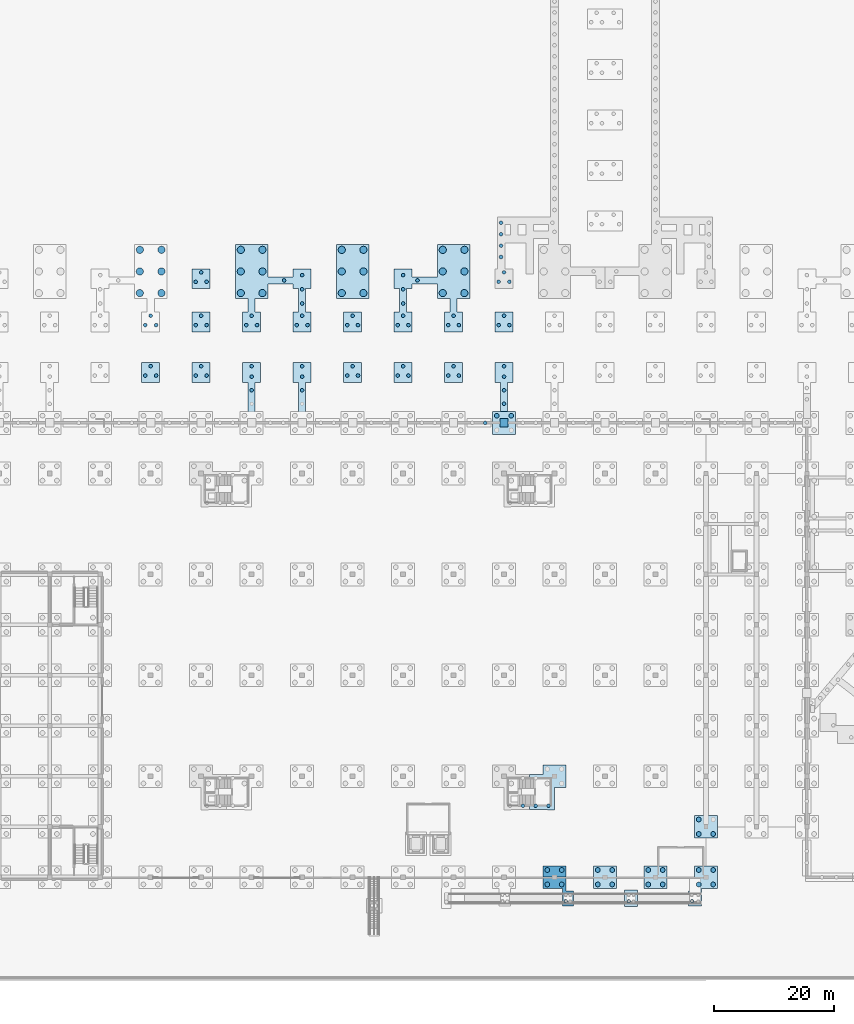
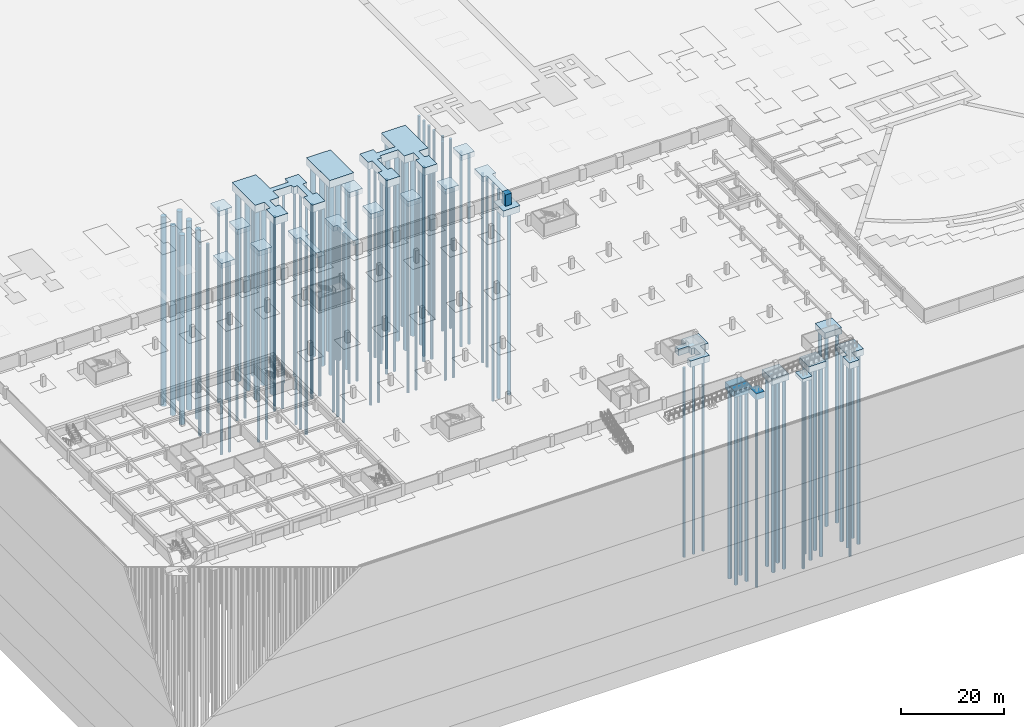
# One storey, part 6 of 67: 119 piles, 25 footings.
"""IFC4 building model written with IfcOpenShell, lengths in metres."""

from ifc_helpers import new_model, si_unit, direction, frame, origin, origin_2d, place, context, subcontext, project, spatial, polyline, circle, outline, extrude, material, material_profile, profile_set, type_object, element, save


model = new_model("IFC4")

# Units and contexts
model_context = context("Model", 3, precision=1e-05, world=origin(), true_north=direction((0.0, 1.0)))
body_context = subcontext(model_context, "Body", "Model", "MODEL_VIEW")
ifc_project = project(units=[si_unit("LENGTHUNIT", "METRE"), si_unit("AREAUNIT", "SQUARE_METRE"), si_unit("VOLUMEUNIT", "CUBIC_METRE"), si_unit("PLANEANGLEUNIT", "RADIAN"), si_unit("MASSUNIT", "GRAM", prefix="KILO")], contexts=[model_context])

# Site, building, storey
site_placement = place(None, origin())
site = spatial("IfcSite", under=ifc_project, at=site_placement, CompositionType="ELEMENT")
building_placement = place(site_placement, origin())
building = spatial("IfcBuilding", under=site, at=building_placement, Name="Rain Tree Exposition and Congress Centre", CompositionType="ELEMENT")
storey_placement = place(building_placement, frame((0.0, 0.0, -3.0)))
storey = spatial("IfcBuildingStorey", under=building, at=storey_placement, Name="B1", CompositionType="ELEMENT", Elevation=-3.0)

# Piles
ifc_material_1 = material(Name="Concrete C35/45", Category="concrete")
ifc_material_profile_1 = material_profile(ifc_material_1, circle(Radius=0.60009765625, at=origin_2d()), Name="D1200")
ifc_profile_set_1 = profile_set([ifc_material_profile_1], Name="Concrete C35/45")
pile_type_1 = type_object("IfcPileType", Name="Bored pile D1200", PredefinedType="BORED", material=ifc_profile_set_1)
for number, where, z_axis, x_axis, name in (
    (1, (57.0, 97.199951171875, 0.92578125), (0.0, 0.0, -1.0), (1.0, 0.0, 0.0), "Bored pile 1689"),
    (2, (60.60009765625, 97.199951171875, 0.92578125), (0.0, 0.0, -1.0), (1.0, 0.0, 0.0), "Bored pile 1690"),
    (3, (57.0, 100.800048828125, 0.92578125), (0.0, 0.0, -1.0), (1.0, 0.0, 0.0), "Bored pile 1691"),
    (4, (60.60009765625, 100.800048828125, 0.92578125), (0.0, 0.0, -1.0), (1.0, 0.0, 0.0), "Bored pile 1692"),
    (5, (57.0, 104.39990234375, 0.92578125), (0.0, 0.0, -1.0), (1.0, 0.0, 0.0), "Bored pile 1693"),
    (6, (60.60009765625, 104.39990234375, 0.92578125), (0.0, 0.0, -1.0), (1.0, 0.0, 0.0), "Bored pile 1694"),
    (7, (73.800048828125, 97.199951171875, 0.92578125), (0.0, 0.0, -1.0), (1.0, 0.0, 0.0), "Bored pile 1705"),
    (8, (77.39990234375, 97.199951171875, 0.92578125), (0.0, 0.0, -1.0), (1.0, 0.0, 0.0), "Bored pile 1706"),
    (9, (73.800048828125, 100.800048828125, 0.92578125), (0.0, 0.0, -1.0), (1.0, 0.0, 0.0), "Bored pile 1707"),
    (10, (77.39990234375, 100.800048828125, 0.92578125), (0.0, 0.0, -1.0), (1.0, 0.0, 0.0), "Bored pile 1708"),
    (11, (73.800048828125, 104.39990234375, 0.92578125), (0.0, 0.0, -1.0), (1.0, 0.0, 0.0), "Bored pile 1709"),
    (12, (77.39990234375, 104.39990234375, 0.92578125), (0.0, 0.0, -1.0), (1.0, 0.0, 0.0), "Bored pile 1710"),
    (13, (90.60009765625, 97.199951171875, 0.92578125), (0.0, 0.0, -1.0), (1.0, 0.0, 0.0), "Bored pile 1721"),
    (14, (94.199951171875, 97.199951171875, 0.92578125), (0.0, 0.0, -1.0), (1.0, 0.0, 0.0), "Bored pile 1722"),
    (15, (90.60009765625, 100.800048828125, 0.92578125), (0.0, 0.0, -1.0), (1.0, 0.0, 0.0), "Bored pile 1723"),
    (16, (94.199951171875, 100.800048828125, 0.92578125), (0.0, 0.0, -1.0), (1.0, 0.0, 0.0), "Bored pile 1724"),
    (17, (90.60009765625, 104.39990234375, 0.92578125), (0.0, 0.0, -1.0), (1.0, 0.0, 0.0), "Bored pile 1725"),
    (18, (94.199951171875, 104.39990234375, 0.92578125), (0.0, 0.0, -1.0), (1.0, 0.0, 0.0), "Bored pile 1726"),
    (19, (107.39990234375, 97.199951171875, 0.92578125), (0.0, 0.0, -1.0), (1.0, 0.0, 0.0), "Bored pile 1733"),
    (20, (111.0, 97.199951171875, 0.92578125), (0.0, 0.0, -1.0), (1.0, 0.0, 0.0), "Bored pile 1734"),
    (21, (107.39990234375, 100.800048828125, 0.92578125), (0.0, 0.0, -1.0), (1.0, 0.0, 0.0), "Bored pile 1735"),
    (22, (111.0, 100.800048828125, 0.92578125), (0.0, 0.0, -1.0), (1.0, 0.0, 0.0), "Bored pile 1736"),
    (23, (107.39990234375, 104.39990234375, 0.92578125), (0.0, 0.0, -1.0), (1.0, 0.0, 0.0), "Bored pile 1737"),
    (24, (111.0, 104.39990234375, 0.92578125), (0.0, 0.0, -1.0), (1.0, 0.0, 0.0), "Bored pile 1738"),
):
    element("IfcPile", number, at=place(storey_placement, frame(where, z_axis=z_axis, x_axis=x_axis)), inside=storey, type_object=pile_type_1, Name=name, PredefinedType="BORED", context=body_context, shape_type="SweptSolid", body=[
        extrude(circle(Radius=0.60009765625, at=origin_2d()), origin(), (0.0, 0.0, 1.0), 45.074951171875),
    ])
ifc_material_2 = material(Name="Concrete C35/45", Category="concrete")
ifc_material_profile_2 = material_profile(ifc_material_2, circle(Radius=0.300048828125, at=origin_2d()), Name="D600")
ifc_profile_set_2 = profile_set([ifc_material_profile_2], Name="Concrete C35/45")
pile_type_2 = type_object("IfcPileType", Name="Bored pile D600", PredefinedType="BORED", material=ifc_profile_set_2)
for number, where, z_axis, x_axis, name in (
    (25, (127.85009765625, -4.0, -1.425048828125), (0.0, 0.0, -1.0), (1.0, 0.0, 0.0), "Bored pile 0724"),
    (26, (120.7333984375, 11.89990234375, -1.425048828125), (0.0, 0.0, -1.0), (1.0, 0.0, 0.0), "Bored pile 0730"),
    (27, (122.86669921875, 11.89990234375, -1.425048828125), (0.0, 0.0, -1.0), (1.0, 0.0, 0.0), "Bored pile 0732"),
    (28, (125.0, 11.89990234375, -1.425048828125), (0.0, 0.0, -1.0), (1.0, 0.0, 0.0), "Bored pile 0736"),
    (29, (138.35009765625, -4.0, -0.72509765625), (0.0, 0.0, -1.0), (1.0, 0.0, 0.0), "Bored pile 0895"),
    (30, (148.85009765625, -4.0, -1.425048828125), (0.0, 0.0, -1.0), (1.0, 0.0, 0.0), "Bored pile 0900"),
    (31, (57.89990234375, 91.88037109375, 0.92578125), (0.0, 0.0, -1.0), (1.0, 0.0, 0.0), "Bored pile 1698"),
    (32, (59.699951171875, 91.88037109375, 0.92578125), (0.0, 0.0, -1.0), (1.0, 0.0, 0.0), "Bored pile 1699"),
    (33, (58.800048828125, 93.439208984375, 0.92578125), (0.0, 0.0, -1.0), (1.0, 0.0, 0.0), "Bored pile 1700"),
    (34, (74.699951171875, 91.88037109375, 0.92578125), (0.0, 0.0, -1.0), (1.0, 0.0, 0.0), "Bored pile 1711"),
    (35, (76.5, 91.88037109375, 0.92578125), (0.0, 0.0, -1.0), (1.0, 0.0, 0.0), "Bored pile 1712"),
    (36, (75.60009765625, 93.439208984375, 0.92578125), (0.0, 0.0, -1.0), (1.0, 0.0, 0.0), "Bored pile 1713"),
    (37, (83.10009765625, 91.88037109375, 0.92578125), (0.0, 0.0, -1.0), (1.0, 0.0, 0.0), "Bored pile 1714"),
    (38, (84.89990234375, 91.88037109375, 0.92578125), (0.0, 0.0, -1.0), (1.0, 0.0, 0.0), "Bored pile 1715"),
    (39, (84.0, 93.439208984375, 0.92578125), (0.0, 0.0, -1.0), (1.0, 0.0, 0.0), "Bored pile 1716"),
    (40, (84.0, 100.199951171875, 0.92578125), (0.0, 0.0, -1.0), (1.0, 0.0, 0.0), "Bored pile 1717"),
    (41, (84.0, 97.833251953125, 0.92578125), (0.0, 0.0, -1.0), (1.0, 0.0, 0.0), "Bored pile 1718"),
    (42, (84.0, 95.466796875, 0.92578125), (0.0, 0.0, -1.0), (1.0, 0.0, 0.0), "Bored pile 1719"),
    (43, (81.0, 99.300048828125, 0.92578125), (0.0, 0.0, -1.0), (1.0, 0.0, 0.0), "Bored pile 1720"),
    (44, (99.89990234375, 91.88037109375, 0.92578125), (0.0, 0.0, -1.0), (1.0, 0.0, 0.0), "Bored pile 1739"),
    (45, (101.699951171875, 91.88037109375, 0.92578125), (0.0, 0.0, -1.0), (1.0, 0.0, 0.0), "Bored pile 1740"),
    (46, (100.800048828125, 93.439208984375, 0.92578125), (0.0, 0.0, -1.0), (1.0, 0.0, 0.0), "Bored pile 1741"),
    (47, (108.300048828125, 91.88037109375, 0.92578125), (0.0, 0.0, -1.0), (1.0, 0.0, 0.0), "Bored pile 1742"),
    (48, (110.10009765625, 91.88037109375, 0.92578125), (0.0, 0.0, -1.0), (1.0, 0.0, 0.0), "Bored pile 1743"),
    (49, (109.199951171875, 93.439208984375, 0.92578125), (0.0, 0.0, -1.0), (1.0, 0.0, 0.0), "Bored pile 1744"),
    (50, (100.800048828125, 100.199951171875, 0.92578125), (0.0, 0.0, -1.0), (1.0, 0.0, 0.0), "Bored pile 1745"),
    (51, (100.800048828125, 97.833251953125, 0.92578125), (0.0, 0.0, -1.0), (1.0, 0.0, 0.0), "Bored pile 1746"),
    (52, (100.800048828125, 95.466796875, 0.92578125), (0.0, 0.0, -1.0), (1.0, 0.0, 0.0), "Bored pile 1747"),
    (53, (103.199951171875, 99.300048828125, 0.92578125), (0.0, 0.0, -1.0), (1.0, 0.0, 0.0), "Bored pile 1748"),
    (54, (116.699951171875, 99.080322265625, 0.92578125), (0.0, 0.0, -1.0), (1.0, 0.0, 0.0), "Bored pile 1751"),
    (55, (118.5, 99.080322265625, 0.92578125), (0.0, 0.0, -1.0), (1.0, 0.0, 0.0), "Bored pile 1752"),
    (56, (117.60009765625, 100.639404296875, 0.92578125), (0.0, 0.0, -1.0), (1.0, 0.0, 0.0), "Bored pile 1754"),
    (57, (117.10009765625, 103.199951171875, 0.92578125), (0.0, 0.0, -1.0), (1.0, 0.0, 0.0), "Bored pile 1758"),
    (58, (117.10009765625, 105.10009765625, 0.92578125), (0.0, 0.0, -1.0), (1.0, 0.0, 0.0), "Bored pile 1761"),
    (59, (117.10009765625, 107.0, 0.92578125), (0.0, 0.0, -1.0), (1.0, 0.0, 0.0), "Bored pile 1762"),
    (60, (117.10009765625, 108.89990234375, 0.92578125), (0.0, 0.0, -1.0), (1.0, 0.0, 0.0), "Bored pile 1764"),
    (61, (84.0, 81.033203125, 1.574951171875), (0.0, 0.0, -1.0), (1.0, 0.0, 0.0), "Bored pile 2160"),
    (62, (84.0, 83.300048828125, 1.574951171875), (0.0, 0.0, -1.0), (1.0, 0.0, 0.0), "Bored pile 2161"),
    (63, (84.0, 85.039306640625, 1.574951171875), (0.0, 0.0, -1.0), (1.0, 0.0, 0.0), "Bored pile 2162"),
    (64, (75.60009765625, 81.033203125, 1.574951171875), (0.0, 0.0, -1.0), (1.0, 0.0, 0.0), "Bored pile 2164"),
    (65, (75.60009765625, 83.300048828125, 1.574951171875), (0.0, 0.0, -1.0), (1.0, 0.0, 0.0), "Bored pile 2165"),
    (66, (75.60009765625, 85.039306640625, 1.574951171875), (0.0, 0.0, -1.0), (1.0, 0.0, 0.0), "Bored pile 2166"),
    (67, (99.89990234375, 83.480224609375, 1.574951171875), (0.0, 0.0, -1.0), (1.0, 0.0, 0.0), "Bored pile 2178"),
    (68, (101.699951171875, 83.480224609375, 1.574951171875), (0.0, 0.0, -1.0), (1.0, 0.0, 0.0), "Bored pile 2179"),
    (69, (100.800048828125, 85.039306640625, 1.574951171875), (0.0, 0.0, -1.0), (1.0, 0.0, 0.0), "Bored pile 2180"),
    (70, (91.5, 83.480224609375, 1.574951171875), (0.0, 0.0, -1.0), (1.0, 0.0, 0.0), "Bored pile 2181"),
    (71, (93.300048828125, 83.480224609375, 1.574951171875), (0.0, 0.0, -1.0), (1.0, 0.0, 0.0), "Bored pile 2182"),
    (72, (92.39990234375, 85.039306640625, 1.574951171875), (0.0, 0.0, -1.0), (1.0, 0.0, 0.0), "Bored pile 2183"),
    (73, (66.300048828125, 83.480224609375, 1.574951171875), (0.0, 0.0, -1.0), (1.0, 0.0, 0.0), "Bored pile 2184"),
    (74, (68.10009765625, 83.480224609375, 1.574951171875), (0.0, 0.0, -1.0), (1.0, 0.0, 0.0), "Bored pile 2185"),
    (75, (67.199951171875, 85.039306640625, 1.574951171875), (0.0, 0.0, -1.0), (1.0, 0.0, 0.0), "Bored pile 2186"),
    (76, (57.89990234375, 83.480224609375, 1.574951171875), (0.0, 0.0, -1.0), (1.0, 0.0, 0.0), "Bored pile 2187"),
    (77, (59.699951171875, 83.480224609375, 1.574951171875), (0.0, 0.0, -1.0), (1.0, 0.0, 0.0), "Bored pile 2188"),
    (78, (58.800048828125, 85.039306640625, 1.574951171875), (0.0, 0.0, -1.0), (1.0, 0.0, 0.0), "Bored pile 2189"),
    (79, (66.300048828125, 91.88037109375, 1.574951171875), (0.0, 0.0, -1.0), (1.0, 0.0, 0.0), "Bored pile 2202"),
    (80, (68.10009765625, 91.88037109375, 1.574951171875), (0.0, 0.0, -1.0), (1.0, 0.0, 0.0), "Bored pile 2203"),
    (81, (67.199951171875, 93.439208984375, 1.574951171875), (0.0, 0.0, -1.0), (1.0, 0.0, 0.0), "Bored pile 2204"),
    (82, (91.5, 91.88037109375, 1.574951171875), (0.0, 0.0, -1.0), (1.0, 0.0, 0.0), "Bored pile 2211"),
    (83, (93.300048828125, 91.88037109375, 1.574951171875), (0.0, 0.0, -1.0), (1.0, 0.0, 0.0), "Bored pile 2212"),
    (84, (92.39990234375, 93.439208984375, 1.574951171875), (0.0, 0.0, -1.0), (1.0, 0.0, 0.0), "Bored pile 2213"),
    (85, (66.300048828125, 99.080322265625, 1.574951171875), (0.0, 0.0, -1.0), (1.0, 0.0, 0.0), "Bored pile 2214"),
    (86, (68.10009765625, 99.080322265625, 1.574951171875), (0.0, 0.0, -1.0), (1.0, 0.0, 0.0), "Bored pile 2215"),
    (87, (67.199951171875, 100.639404296875, 1.574951171875), (0.0, 0.0, -1.0), (1.0, 0.0, 0.0), "Bored pile 2216"),
    (88, (117.60009765625, 78.7666015625, 1.574951171875), (0.0, 0.0, -1.0), (1.0, 0.0, 0.0), "Bored pile 2245"),
    (89, (117.60009765625, 81.033203125, 1.574951171875), (0.0, 0.0, -1.0), (1.0, 0.0, 0.0), "Bored pile 2246"),
    (90, (117.60009765625, 83.300048828125, 1.574951171875), (0.0, 0.0, -1.0), (1.0, 0.0, 0.0), "Bored pile 2247"),
    (91, (117.60009765625, 85.039306640625, 1.574951171875), (0.0, 0.0, -1.0), (1.0, 0.0, 0.0), "Bored pile 2248"),
    (92, (108.300048828125, 83.480224609375, 1.574951171875), (0.0, 0.0, -1.0), (1.0, 0.0, 0.0), "Bored pile 2259"),
    (93, (110.10009765625, 83.480224609375, 1.574951171875), (0.0, 0.0, -1.0), (1.0, 0.0, 0.0), "Bored pile 2260"),
    (94, (109.199951171875, 85.039306640625, 1.574951171875), (0.0, 0.0, -1.0), (1.0, 0.0, 0.0), "Bored pile 2261"),
    (95, (116.699951171875, 91.88037109375, 1.574951171875), (0.0, 0.0, -1.0), (1.0, 0.0, 0.0), "Bored pile 2283"),
    (96, (118.5, 91.88037109375, 1.574951171875), (0.0, 0.0, -1.0), (1.0, 0.0, 0.0), "Bored pile 2284"),
    (97, (117.60009765625, 93.439208984375, 1.574951171875), (0.0, 0.0, -1.0), (1.0, 0.0, 0.0), "Bored pile 2285"),
    (98, (114.466796875, 75.60009765625, -0.72509765625), (0.0, 0.0, -1.0), (1.0, 0.0, 0.0), "Bored pile 2459"),
):
    element("IfcPile", number, at=place(storey_placement, frame(where, z_axis=z_axis, x_axis=x_axis)), inside=storey, type_object=pile_type_2, Name=name, PredefinedType="BORED", context=body_context, shape_type="SweptSolid", body=[
        extrude(circle(Radius=0.300048828125, at=origin_2d()), origin(), (0.0, 0.0, 1.0), 45.074951171875),
    ])
ifc_material_3 = material(Name="Concrete C35/45", Category="concrete")
ifc_material_profile_3 = material_profile(ifc_material_3, circle(Radius=0.39990234375, at=origin_2d()), Name="D800")
ifc_profile_set_3 = profile_set([ifc_material_profile_3], Name="Concrete C35/45")
pile_type_3 = type_object("IfcPileType", Name="Bored pile D800", PredefinedType="BORED", material=ifc_profile_set_3)
for number, where, z_axis, x_axis, name in (
    (99, (124.800048828125, 1.199951171875, -1.425048828125), (0.0, 0.0, -1.0), (1.0, 0.0, 0.0), "Bored pile 0720"),
    (100, (127.199951171875, 1.199951171875, -1.425048828125), (0.0, 0.0, -1.0), (1.0, 0.0, 0.0), "Bored pile 0721"),
    (101, (124.800048828125, -1.199951171875, -1.425048828125), (0.0, 0.0, -1.0), (1.0, 0.0, 0.0), "Bored pile 0722"),
    (102, (127.199951171875, -1.199951171875, -1.425048828125), (0.0, 0.0, -1.0), (1.0, 0.0, 0.0), "Bored pile 0723"),
    (103, (116.39990234375, 76.800048828125, -1.425048828125), (0.0, 0.0, -1.0), (1.0, 0.0, 0.0), "Bored pile 0795"),
    (104, (118.800048828125, 76.800048828125, -1.425048828125), (0.0, 0.0, -1.0), (1.0, 0.0, 0.0), "Bored pile 0796"),
    (105, (150.0, -1.199951171875, -1.425048828125), (0.0, 0.0, -1.0), (1.0, 0.0, 0.0), "Bored pile 0896"),
    (106, (152.39990234375, -1.199951171875, -1.425048828125), (0.0, 0.0, -1.0), (1.0, 0.0, 0.0), "Bored pile 0897"),
    (107, (150.0, 1.199951171875, -1.425048828125), (0.0, 0.0, -1.0), (1.0, 0.0, 0.0), "Bored pile 0898"),
    (108, (152.39990234375, 1.199951171875, -1.425048828125), (0.0, 0.0, -1.0), (1.0, 0.0, 0.0), "Bored pile 0899"),
    (109, (133.199951171875, -1.199951171875, -1.425048828125), (0.0, 0.0, -1.0), (1.0, 0.0, 0.0), "Bored pile 0901"),
    (110, (135.60009765625, -1.199951171875, -1.425048828125), (0.0, 0.0, -1.0), (1.0, 0.0, 0.0), "Bored pile 0902"),
    (111, (133.199951171875, 1.199951171875, -1.425048828125), (0.0, 0.0, -1.0), (1.0, 0.0, 0.0), "Bored pile 0903"),
    (112, (135.60009765625, 1.199951171875, -1.425048828125), (0.0, 0.0, -1.0), (1.0, 0.0, 0.0), "Bored pile 0904"),
    (113, (141.60009765625, -1.199951171875, -1.425048828125), (0.0, 0.0, -1.0), (1.0, 0.0, 0.0), "Bored pile 0905"),
    (114, (144.0, -1.199951171875, -1.425048828125), (0.0, 0.0, -1.0), (1.0, 0.0, 0.0), "Bored pile 0906"),
    (115, (141.60009765625, 1.199951171875, -1.425048828125), (0.0, 0.0, -1.0), (1.0, 0.0, 0.0), "Bored pile 0907"),
    (116, (144.0, 1.199951171875, -1.425048828125), (0.0, 0.0, -1.0), (1.0, 0.0, 0.0), "Bored pile 0908"),
    (117, (150.0, 7.199951171875, -1.425048828125), (0.0, 0.0, -1.0), (1.0, 0.0, 0.0), "Bored pile 0909"),
    (118, (152.39990234375, 7.199951171875, -1.425048828125), (0.0, 0.0, -1.0), (1.0, 0.0, 0.0), "Bored pile 0910"),
    (119, (150.0, 9.60009765625, -1.425048828125), (0.0, 0.0, -1.0), (1.0, 0.0, 0.0), "Bored pile 0911"),
):
    element("IfcPile", number, at=place(storey_placement, frame(where, z_axis=z_axis, x_axis=x_axis)), inside=storey, type_object=pile_type_3, Name=name, PredefinedType="BORED", context=body_context, shape_type="SweptSolid", body=[
        extrude(circle(Radius=0.39990234375, at=origin_2d()), origin(), (0.0, 0.0, 1.0), 45.074951171875),
    ])

# Footings
ifc_material_4 = material(Name="Concrete C35/45", Category="concrete")
footing_type_1 = type_object("IfcFootingType", Name="Pier cap 2700 thick", PredefinedType="PILE_CAP", material=ifc_material_4)
footing_1_placement = place(storey_placement, origin())
element("IfcFooting", 120, at=footing_1_placement, inside=storey, type_object=footing_type_1, Name="Pier cap 044", PredefinedType="PILE_CAP", context=body_context, shape_type="SweptSolid", body=[
    extrude(outline(polyline([(116.89990234375, 74.89990234375), (118.300048828125, 74.89990234375), (118.300048828125, 76.300048828125), (116.89990234375, 76.300048828125), (116.89990234375, 74.89990234375)])), origin(), (0.0, 0.0, 1.0), 2.699951171875),
])
ifc_material_5 = material(Name="Concrete C35/45", Category="concrete")
footing_type_2 = type_object("IfcFootingType", Name="Pile cap 1200 thick", PredefinedType="PILE_CAP", material=ifc_material_5)
footing_2_placement = place(storey_placement, frame((0.0, 0.0, 1.5)))
element("IfcFooting", 121, at=footing_2_placement, inside=storey, type_object=footing_type_2, Name="Pile cap 316", PredefinedType="PILE_CAP", context=body_context, shape_type="SweptSolid", body=[
    extrude(outline(polyline([(102.300048828125, 82.360595703125), (102.300048828125, 85.639404296875), (99.300048828125, 85.639404296875), (99.300048828125, 82.360595703125), (102.300048828125, 82.360595703125)])), origin(), (0.0, 0.0, 1.0), 1.199951171875),
])
footing_3_placement = place(storey_placement, frame((0.0, 0.0, 1.5)))
element("IfcFooting", 122, at=footing_3_placement, inside=storey, type_object=footing_type_2, Name="Pile cap 317", PredefinedType="PILE_CAP", context=body_context, shape_type="SweptSolid", body=[
    extrude(outline(polyline([(93.89990234375, 82.360595703125), (93.89990234375, 85.639404296875), (90.89990234375, 85.639404296875), (90.89990234375, 82.360595703125), (93.89990234375, 82.360595703125)])), origin(), (0.0, 0.0, 1.0), 1.199951171875),
])
footing_4_placement = place(storey_placement, frame((0.0, 0.0, 1.5)))
element("IfcFooting", 123, at=footing_4_placement, inside=storey, type_object=footing_type_2, Name="Pile cap 318", PredefinedType="PILE_CAP", context=body_context, shape_type="SweptSolid", body=[
    extrude(outline(polyline([(68.699951171875, 82.360595703125), (68.699951171875, 85.639404296875), (65.699951171875, 85.639404296875), (65.699951171875, 82.360595703125), (68.699951171875, 82.360595703125)])), origin(), (0.0, 0.0, 1.0), 1.199951171875),
])
footing_5_placement = place(storey_placement, frame((0.0, 0.0, 1.5)))
element("IfcFooting", 124, at=footing_5_placement, inside=storey, type_object=footing_type_2, Name="Pile cap 319", PredefinedType="PILE_CAP", context=body_context, shape_type="SweptSolid", body=[
    extrude(outline(polyline([(60.300048828125, 82.360595703125), (60.300048828125, 85.639404296875), (57.300048828125, 85.639404296875), (57.300048828125, 82.360595703125), (60.300048828125, 82.360595703125)])), origin(), (0.0, 0.0, 1.0), 1.199951171875),
])
footing_6_placement = place(storey_placement, frame((0.0, 0.0, 1.5)))
element("IfcFooting", 125, at=footing_6_placement, inside=storey, type_object=footing_type_2, Name="Pile cap 324", PredefinedType="PILE_CAP", context=body_context, shape_type="SweptSolid", body=[
    extrude(outline(polyline([(68.699951171875, 90.7607421875), (68.699951171875, 94.039306640625), (65.699951171875, 94.039306640625), (65.699951171875, 90.7607421875), (68.699951171875, 90.7607421875)])), origin(), (0.0, 0.0, 1.0), 1.199951171875),
])
footing_7_placement = place(storey_placement, frame((0.0, 0.0, 1.5)))
element("IfcFooting", 126, at=footing_7_placement, inside=storey, type_object=footing_type_2, Name="Pile cap 327", PredefinedType="PILE_CAP", context=body_context, shape_type="SweptSolid", body=[
    extrude(outline(polyline([(93.89990234375, 90.7607421875), (93.89990234375, 94.039306640625), (90.89990234375, 94.039306640625), (90.89990234375, 90.7607421875), (93.89990234375, 90.7607421875)])), origin(), (0.0, 0.0, 1.0), 1.199951171875),
])
footing_8_placement = place(storey_placement, frame((0.0, 0.0, 1.5)))
element("IfcFooting", 127, at=footing_8_placement, inside=storey, type_object=footing_type_2, Name="Pile cap 328", PredefinedType="PILE_CAP", context=body_context, shape_type="SweptSolid", body=[
    extrude(outline(polyline([(68.699951171875, 97.960693359375), (68.699951171875, 101.2392578125), (65.699951171875, 101.2392578125), (65.699951171875, 97.960693359375), (68.699951171875, 97.960693359375)])), origin(), (0.0, 0.0, 1.0), 1.199951171875),
])
footing_9_placement = place(storey_placement, frame((0.0, 0.0, 1.5)))
element("IfcFooting", 128, at=footing_9_placement, inside=storey, type_object=footing_type_2, Name="Pile cap 335", PredefinedType="PILE_CAP", context=body_context, shape_type="SweptSolid", body=[
    extrude(outline(polyline([(110.699951171875, 82.360595703125), (110.699951171875, 85.639404296875), (107.699951171875, 85.639404296875), (107.699951171875, 82.360595703125), (110.699951171875, 82.360595703125)])), origin(), (0.0, 0.0, 1.0), 1.199951171875),
])
footing_10_placement = place(storey_placement, frame((0.0, 0.0, 1.5)))
element("IfcFooting", 129, at=footing_10_placement, inside=storey, type_object=footing_type_2, Name="Pile cap 343", PredefinedType="PILE_CAP", context=body_context, shape_type="SweptSolid", body=[
    extrude(outline(polyline([(119.10009765625, 90.7607421875), (119.10009765625, 94.039306640625), (116.10009765625, 94.039306640625), (116.10009765625, 90.7607421875), (119.10009765625, 90.7607421875)])), origin(), (0.0, 0.0, 1.0), 1.199951171875),
])
ifc_material_6 = material(Name="Concrete C35/45", Category="concrete")
footing_type_3 = type_object("IfcFootingType", Name="Pile cap 1500 thick", PredefinedType="PILE_CAP", material=ifc_material_6)
footing_11_placement = place(storey_placement, frame((0.0, 0.0, -1.5)))
element("IfcFooting", 130, at=footing_11_placement, inside=storey, type_object=footing_type_3, Name="Pile cap 154", PredefinedType="PILE_CAP", context=body_context, shape_type="SweptSolid", body=[
    extrude(outline(polyline([(119.5, 73.699951171875), (119.5, 77.5), (115.699951171875, 77.5), (115.699951171875, 73.699951171875), (119.5, 73.699951171875)])), origin(), (0.0, 0.0, 1.0), 1.5),
])
footing_12_placement = place(storey_placement, frame((0.0, 0.0, -1.5)))
element("IfcFooting", 131, at=footing_12_placement, inside=storey, type_object=footing_type_3, Name="Pile cap 168", PredefinedType="PILE_CAP", context=body_context, shape_type="SweptSolid", body=[
    extrude(outline(polyline([(136.300048828125, -1.89990234375), (136.300048828125, 1.89990234375), (132.5, 1.89990234375), (132.5, -1.89990234375), (136.300048828125, -1.89990234375)])), origin(), (0.0, 0.0, 1.0), 1.5),
])
footing_13_placement = place(storey_placement, frame((0.0, 0.0, -1.5)))
element("IfcFooting", 132, at=footing_13_placement, inside=storey, type_object=footing_type_3, Name="Pile cap 169", PredefinedType="PILE_CAP", context=body_context, shape_type="SweptSolid", body=[
    extrude(outline(polyline([(144.699951171875, -1.89990234375), (144.699951171875, 1.89990234375), (140.89990234375, 1.89990234375), (140.89990234375, -1.89990234375), (144.699951171875, -1.89990234375)])), origin(), (0.0, 0.0, 1.0), 1.5),
])
footing_14_placement = place(storey_placement, frame((0.0, 0.0, -1.5)))
element("IfcFooting", 133, at=footing_14_placement, inside=storey, type_object=footing_type_3, Name="Pile cap 170", PredefinedType="PILE_CAP", context=body_context, shape_type="SweptSolid", body=[
    extrude(outline(polyline([(153.10009765625, 6.5), (153.10009765625, 10.300048828125), (149.300048828125, 10.300048828125), (149.300048828125, 6.5), (153.10009765625, 6.5)])), origin(), (0.0, 0.0, 1.0), 1.5),
])
ifc_material_7 = material(Name="Concrete C35/45", Category="concrete")
footing_type_4 = type_object("IfcFootingType", Name="Pile cap 1800 thick", PredefinedType="PILE_CAP", material=ifc_material_7)
footing_15_placement = place(storey_placement, frame((0.0, 0.0, 0.8505859375)))
element("IfcFooting", 134, at=footing_15_placement, inside=storey, type_object=footing_type_4, Name="Pile cap 309", PredefinedType="PILE_CAP", context=body_context, shape_type="SweptSolid", body=[
    extrude(outline(polyline([(89.699951171875, 96.300048828125), (95.10009765625, 96.300048828125), (95.10009765625, 105.300048828125), (89.699951171875, 105.300048828125), (89.699951171875, 96.300048828125)])), origin(), (0.0, 0.0, 1.0), 1.800048828125),
])
ifc_material_8 = material(Name="Concrete C35/45", Category="concrete")
footing_type_5 = type_object("IfcFootingType", Name="Strip footing 1200 thick", PredefinedType="STRIP_FOOTING", material=ifc_material_8)
footing_16_placement = place(storey_placement, frame((0.0, 0.0, 1.5)))
element("IfcFooting", 135, at=footing_16_placement, inside=storey, type_object=footing_type_5, Name="Strip footing 090", PredefinedType="STRIP_FOOTING", context=body_context, shape_type="SweptSolid", body=[
    extrude(outline(polyline([(84.60009765625, 76.199951171875), (84.60009765625, 82.360595703125), (85.5, 82.360595703125), (85.5, 85.639404296875), (82.5, 85.639404296875), (82.5, 82.360595703125), (83.39990234375, 82.360595703125), (83.39990234375, 76.199951171875), (84.60009765625, 76.199951171875)])), origin(), (0.0, 0.0, 1.0), 1.199951171875),
])
footing_17_placement = place(storey_placement, frame((0.0, 0.0, 1.5)))
element("IfcFooting", 136, at=footing_17_placement, inside=storey, type_object=footing_type_5, Name="Strip footing 091", PredefinedType="STRIP_FOOTING", context=body_context, shape_type="SweptSolid", body=[
    extrude(outline(polyline([(76.199951171875, 76.199951171875), (76.199951171875, 82.360595703125), (77.10009765625, 82.360595703125), (77.10009765625, 85.639404296875), (74.10009765625, 85.639404296875), (74.10009765625, 82.360595703125), (75.0, 82.360595703125), (75.0, 76.199951171875), (76.199951171875, 76.199951171875)])), origin(), (0.0, 0.0, 1.0), 1.199951171875),
])
footing_18_placement = place(storey_placement, frame((0.0, 0.0, 1.5)))
element("IfcFooting", 137, at=footing_18_placement, inside=storey, type_object=footing_type_5, Name="Strip footing 097", PredefinedType="STRIP_FOOTING", context=body_context, shape_type="SweptSolid", body=[
    extrude(outline(polyline([(118.199951171875, 76.199951171875), (118.199951171875, 82.360595703125), (119.10009765625, 82.360595703125), (119.10009765625, 85.639404296875), (116.10009765625, 85.639404296875), (116.10009765625, 82.360595703125), (117.0, 82.360595703125), (117.0, 76.199951171875), (118.199951171875, 76.199951171875)])), origin(), (0.0, 0.0, 1.0), 1.199951171875),
])
ifc_material_9 = material(Name="Concrete C35/45", Category="concrete")
footing_type_6 = type_object("IfcFootingType", Name="Strip footing 1500 thick", PredefinedType="STRIP_FOOTING", material=ifc_material_9)
footing_19_placement = place(storey_placement, frame((0.0, 0.0, -1.5)))
element("IfcFooting", 138, at=footing_19_placement, inside=storey, type_object=footing_type_6, Name="Strip footing 018", PredefinedType="STRIP_FOOTING", context=body_context, shape_type="SweptSolid", body=[
    extrude(outline(polyline([(124.10009765625, 1.89990234375), (124.10009765625, 0.0), (127.89990234375, 0.0), (127.89990234375, 1.89990234375), (124.10009765625, 1.89990234375)])), origin(), (0.0, 0.0, 1.0), 1.5),
])
footing_20_placement = place(storey_placement, frame((0.0, 0.0, -1.5)))
element("IfcFooting", 139, at=footing_20_placement, inside=storey, type_object=footing_type_6, Name="Strip footing 019", PredefinedType="STRIP_FOOTING", context=body_context, shape_type="SweptSolid", body=[
    extrude(outline(polyline([(129.199951171875, -4.75), (129.199951171875, -2.25), (127.89990234375, -2.25), (127.89990234375, 0.0), (124.10009765625, 0.0), (124.10009765625, -1.89990234375), (127.300048828125, -1.89990234375), (127.300048828125, -4.75), (129.199951171875, -4.75)])), origin(), (0.0, 0.0, 1.0), 1.5),
])
footing_21_placement = place(storey_placement, frame((0.0, 0.0, -1.5)))
element("IfcFooting", 140, at=footing_21_placement, inside=storey, type_object=footing_type_6, Name="Strip footing 021", PredefinedType="STRIP_FOOTING", context=body_context, shape_type="SweptSolid", body=[
    extrude(outline(polyline([(124.10009765625, 17.10009765625), (121.800048828125, 17.10009765625), (121.800048828125, 15.89990234375), (124.10009765625, 15.89990234375), (124.10009765625, 14.89990234375), (124.800048828125, 14.89990234375), (124.800048828125, 12.5), (121.800048828125, 12.5), (121.800048828125, 11.300048828125), (124.800048828125, 11.300048828125), (124.800048828125, 11.199951171875), (126.0, 11.199951171875), (126.0, 11.800048828125), (126.0, 14.89990234375), (127.89990234375, 14.89990234375), (127.89990234375, 18.699951171875), (124.10009765625, 18.699951171875), (124.10009765625, 17.10009765625)])), origin(), (0.0, 0.0, 1.0), 1.5),
])
footing_22_placement = place(storey_placement, frame((0.0, 0.0, -1.5)))
element("IfcFooting", 141, at=footing_22_placement, inside=storey, type_object=footing_type_6, Name="Strip footing 031", PredefinedType="STRIP_FOOTING", context=body_context, shape_type="SweptSolid", body=[
    extrude(outline(polyline([(148.300048828125, -2.25), (148.300048828125, -4.75), (150.5, -4.75), (150.5, -1.89990234375), (153.10009765625, -1.89990234375), (153.10009765625, 1.89990234375), (149.300048828125, 1.89990234375), (149.300048828125, -2.25), (148.300048828125, -2.25)])), origin(), (0.0, 0.0, 1.0), 1.5),
])
ifc_material_10 = material(Name="Concrete C35/45", Category="concrete")
footing_type_7 = type_object("IfcFootingType", Name="Strip footing 1800 thick", PredefinedType="STRIP_FOOTING", material=ifc_material_10)
footing_23_placement = place(storey_placement, frame((0.0, 0.0, 0.8505859375)))
element("IfcFooting", 142, at=footing_23_placement, inside=storey, type_object=footing_type_7, Name="Strip footing 050", PredefinedType="STRIP_FOOTING", context=body_context, shape_type="SweptSolid", body=[
    extrude(outline(polyline([(75.0, 94.039306640625), (74.10009765625, 94.039306640625), (74.10009765625, 90.7607421875), (77.10009765625, 90.7607421875), (77.10009765625, 94.039306640625), (76.199951171875, 94.039306640625), (76.199951171875, 96.300048828125), (78.300048828125, 96.300048828125), (78.300048828125, 98.699951171875), (82.5, 98.699951171875), (82.5, 97.960693359375), (83.39990234375, 97.960693359375), (83.39990234375, 94.039306640625), (82.5, 94.039306640625), (82.5, 90.7607421875), (85.5, 90.7607421875), (85.5, 94.039306640625), (84.60009765625, 94.039306640625), (84.60009765625, 97.960693359375), (85.5, 97.960693359375), (85.5, 101.2392578125), (82.5, 101.2392578125), (82.5, 99.89990234375), (78.300048828125, 99.89990234375), (78.300048828125, 105.300048828125), (72.89990234375, 105.300048828125), (72.89990234375, 96.300048828125), (75.0, 96.300048828125), (75.0, 94.039306640625)])), origin(), (0.0, 0.0, 1.0), 1.800048828125),
])
footing_24_placement = place(storey_placement, frame((0.0, 0.0, 0.8505859375)))
element("IfcFooting", 143, at=footing_24_placement, inside=storey, type_object=footing_type_7, Name="Strip footing 051", PredefinedType="STRIP_FOOTING", context=body_context, shape_type="SweptSolid", body=[
    extrude(outline(polyline([(100.199951171875, 94.039306640625), (99.300048828125, 94.039306640625), (99.300048828125, 90.7607421875), (102.300048828125, 90.7607421875), (102.300048828125, 94.039306640625), (101.39990234375, 94.039306640625), (101.39990234375, 97.960693359375), (102.300048828125, 97.960693359375), (102.300048828125, 98.699951171875), (106.5, 98.699951171875), (106.5, 96.300048828125), (108.60009765625, 96.300048828125), (108.60009765625, 94.039306640625), (107.699951171875, 94.039306640625), (107.699951171875, 90.7607421875), (110.699951171875, 90.7607421875), (110.699951171875, 94.039306640625), (109.800048828125, 94.039306640625), (109.800048828125, 96.300048828125), (111.89990234375, 96.300048828125), (111.89990234375, 105.300048828125), (106.5, 105.300048828125), (106.5, 99.89990234375), (102.300048828125, 99.89990234375), (102.300048828125, 101.2392578125), (99.300048828125, 101.2392578125), (99.300048828125, 97.960693359375), (100.199951171875, 97.960693359375), (100.199951171875, 94.039306640625)])), origin(), (0.0, 0.0, 1.0), 1.800048828125),
])
ifc_material_11 = material(Name="Concrete C35/45", Category="concrete")
footing_type_8 = type_object("IfcFootingType", Name="Strip footing 800 thick", PredefinedType="STRIP_FOOTING", material=ifc_material_11)
footing_25_placement = place(storey_placement, frame((0.0, 0.0, -0.800048828125)))
element("IfcFooting", 144, at=footing_25_placement, inside=storey, type_object=footing_type_8, Name="Strip footing 030", PredefinedType="STRIP_FOOTING", context=body_context, shape_type="SweptSolid", body=[
    extrude(outline(polyline([(139.85009765625, -3.199951171875), (139.85009765625, -3.10009765625), (139.85009765625, -2.10009765625), (139.050048828125, -2.10009765625), (138.449951171875, -2.10009765625), (137.64990234375, -2.10009765625), (137.64990234375, -2.800048828125), (137.64990234375, -3.10009765625), (137.64990234375, -3.800048828125), (137.64990234375, -3.89990234375), (137.64990234375, -4.89990234375), (138.449951171875, -4.89990234375), (139.050048828125, -4.89990234375), (139.85009765625, -4.89990234375), (139.85009765625, -4.199951171875), (139.85009765625, -3.89990234375), (139.85009765625, -3.199951171875)])), origin(), (0.0, 0.0, 1.0), 0.800048828125),
])

save(model, "model.ifc")
